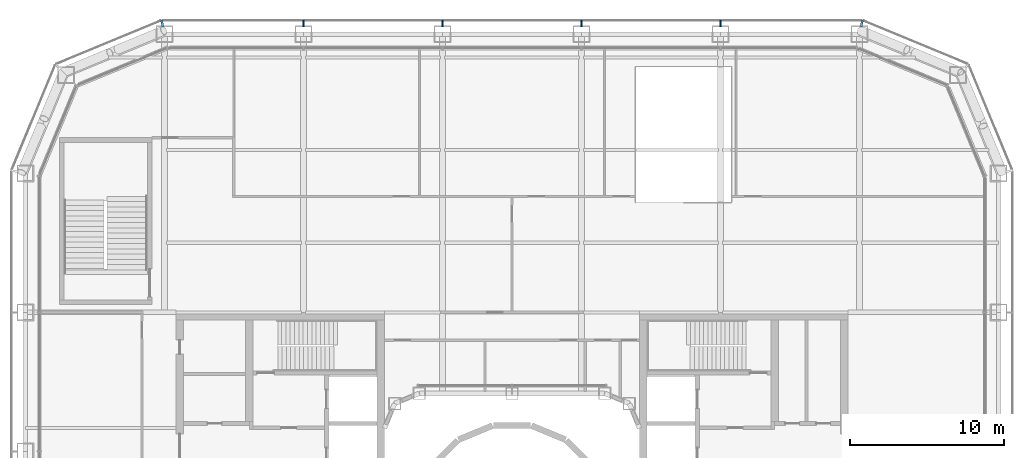
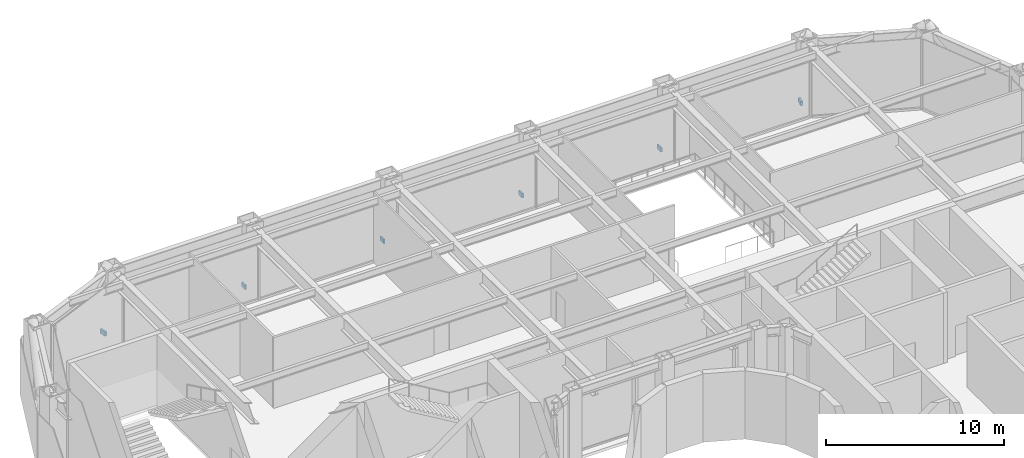
# One storey, part 19 of 24: 6 discrete accessories.
"""IFC4 building model written with IfcOpenShell, lengths in metres."""

from ifc_helpers import new_model, si_unit, direction, frame, origin, origin_2d, place, context, subcontext, project, spatial, rectangle, extrude, material, type_object, element, save


model = new_model("IFC4")

# Units and contexts
model_context = context("Model", 3, precision=1e-05, world=origin(), true_north=direction((0.0, 1.0)))
body_context = subcontext(model_context, "Body", "Model", "MODEL_VIEW")
ifc_project = project(units=[si_unit("LENGTHUNIT", "METRE"), si_unit("AREAUNIT", "SQUARE_METRE"), si_unit("VOLUMEUNIT", "CUBIC_METRE"), si_unit("PLANEANGLEUNIT", "RADIAN"), si_unit("MASSUNIT", "GRAM", prefix="KILO")], contexts=[model_context])

# Site, building, storey
site_placement = place(None, origin())
site = spatial("IfcSite", under=ifc_project, at=site_placement, CompositionType="ELEMENT")
building_placement = place(site_placement, origin())
building = spatial("IfcBuilding", under=site, at=building_placement, Name="Siwar Civic Tower", CompositionType="ELEMENT")
storey_placement = place(building_placement, frame((0.0, 0.0, 12.199951171875)))
storey = spatial("IfcBuildingStorey", under=building, at=storey_placement, Name="L02", CompositionType="ELEMENT", Elevation=12.199951171875)

# Discrete accessories
ifc_material = material(Name="Stainless steel 316", Category="steel")
discrete_accessory_type = type_object("IfcDiscreteAccessoryType", Name="ENV-BRACKET", PredefinedType="BRACKET", material=ifc_material)
for number, where, z_axis, x_axis, name in (
    (1, (13.5, 32.18994140625, -0.14990234375), (0.0, 0.0, 1.0), (0.0, 1.0, 0.0), "Bracket outer skin joint N-01"),
    (2, (4.5, 32.18994140625, -0.14990234375), (0.0, 0.0, 1.0), (0.0, 1.0, 0.0), "Bracket outer skin joint N-02"),
    (3, (-4.5, 32.18994140625, -0.14990234375), (0.0, 0.0, 1.0), (0.0, 1.0, 0.0), "Bracket outer skin joint N-03"),
    (4, (-13.5, 32.18994140625, -0.14990234375), (0.0, 0.0, 1.0), (0.0, 1.0, 0.0), "Bracket outer skin joint N-04"),
):
    element("IfcDiscreteAccessory", number, at=place(storey_placement, frame(where, z_axis=z_axis, x_axis=x_axis)), inside=storey, type_object=discrete_accessory_type, Name=name, PredefinedType="BRACKET", context=body_context, shape_type="SweptSolid", body=[
        extrude(rectangle(XDim=0.419921875, YDim=0.10009765625, at=origin_2d()), origin(), (0.0, 0.0, 1.0), 0.300048828125),
    ])
for number, where, z_axis, x_axis, name in (
    (5, (22.63720703125, 32.190185546875, -0.14990234375), (0.0, 0.0, 1.0), (0.195090322016, 0.980785280403, 0.0), "Bracket outer skin joint V06"),
    (6, (-22.63720703125, 32.190185546875, -0.14990234375), (0.0, 0.0, 1.0), (-0.195090322016, 0.980785280403, 0.0), "Bracket outer skin joint V07"),
):
    element("IfcDiscreteAccessory", number, at=place(storey_placement, frame(where, z_axis=z_axis, x_axis=x_axis)), inside=storey, type_object=discrete_accessory_type, Name=name, PredefinedType="BRACKET", context=body_context, shape_type="SweptSolid", body=[
        extrude(rectangle(XDim=0.427734375, YDim=0.13720703125, at=origin_2d()), origin(), (0.0, 0.0, 1.0), 0.300048828125),
    ])

save(model, "model.ifc")
